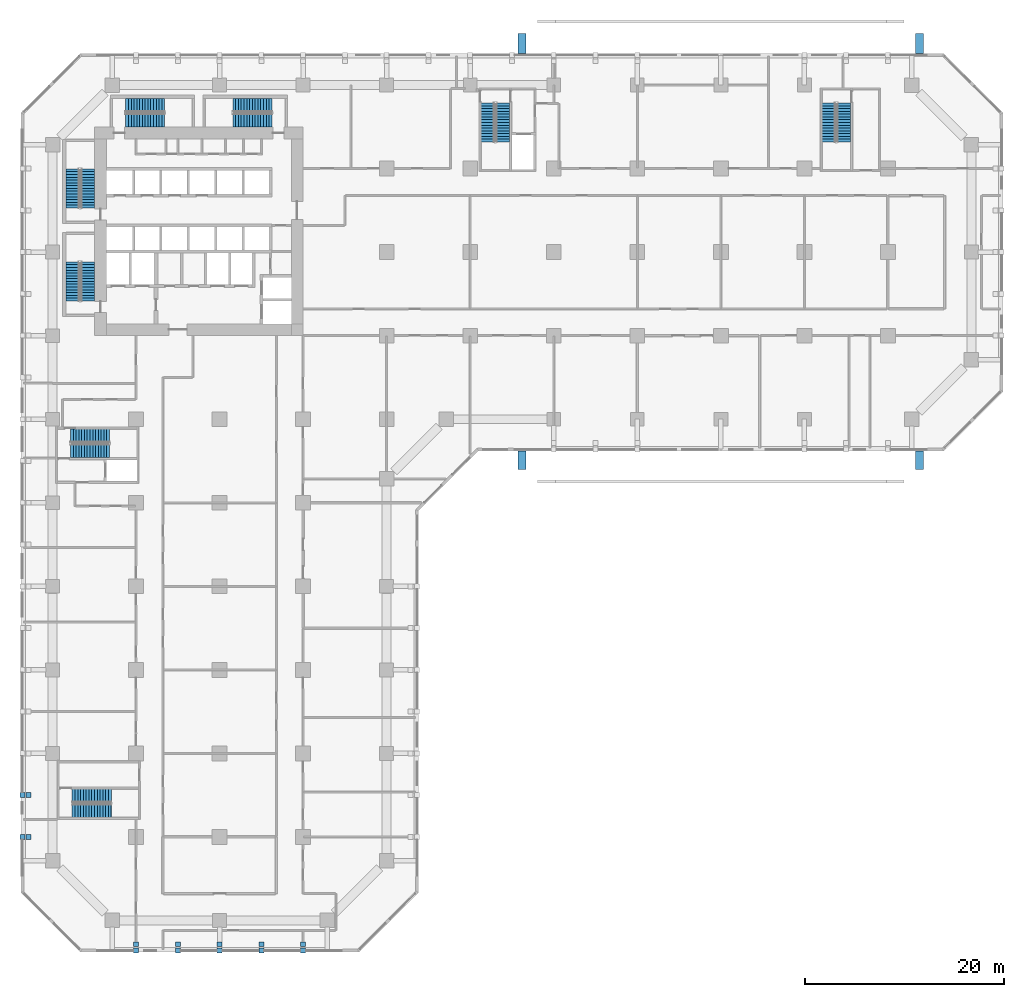
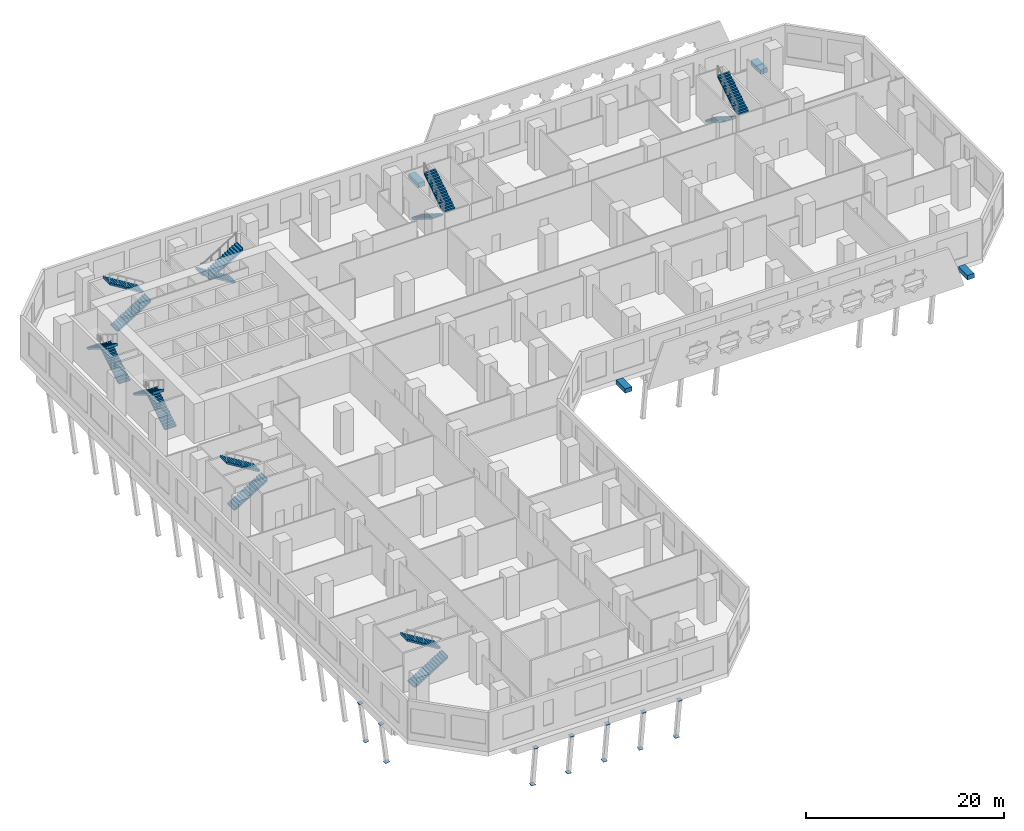
# One storey, part 13 of 21: 18 discrete accessories, 16 stair flights, 8 elements without a shape of their own.
"""IFC4 building model written with IfcOpenShell, lengths in metres."""

from ifc_helpers import new_model, si_unit, direction, frame, origin, origin_2d, place, context, subcontext, project, spatial, polyline, rectangle, outline, extrude, material, material_profile, profile_set, type_object, element, aggregate, save


model = new_model("IFC4")

# Units and contexts
model_context = context("Model", 3, precision=1e-05, world=origin(), true_north=direction((0.0, 1.0)))
body_context = subcontext(model_context, "Body", "Model", "MODEL_VIEW")
ifc_project = project(units=[si_unit("LENGTHUNIT", "METRE"), si_unit("AREAUNIT", "SQUARE_METRE"), si_unit("VOLUMEUNIT", "CUBIC_METRE"), si_unit("PLANEANGLEUNIT", "RADIAN"), si_unit("MASSUNIT", "GRAM", prefix="KILO")], contexts=[model_context])

# Site, building, storey
site_placement = place(None, origin())
site = spatial("IfcSite", under=ifc_project, at=site_placement, CompositionType="ELEMENT")
building_placement = place(site_placement, origin())
building = spatial("IfcBuilding", under=site, at=building_placement, Name="Kawkab Arch Medical Tower", CompositionType="ELEMENT")
storey_placement = place(building_placement, frame((0.0, 0.0, 23.800048828125)))
storey = spatial("IfcBuildingStorey", under=building, at=storey_placement, Name="L05", CompositionType="ELEMENT", Elevation=23.800048828125)

# Stair, stair flights
ifc_material_1 = material(Name="Concrete C40/50", Category="concrete")
stair_type = type_object("IfcStairType", Name="Exit stair 1350", PredefinedType="HALF_TURN_STAIR", material=ifc_material_1)
placement = place(storey_placement, origin())
stair_1 = element("IfcStair", 1, at=placement, inside=storey, type_object=stair_type, Name="L05 Exit stair ST1", PredefinedType="HALF_TURN_STAIR")
ifc_material_2 = material(Name="Concrete C40/50", Category="concrete")
stair_flight_type = type_object("IfcStairFlightType", Name="Exit stair flight 1350", PredefinedType="STRAIGHT", material=ifc_material_2)
stair_flight_1_placement = place(storey_placement, frame((3.52490234375, -12.35009765625, 0.0), z_axis=(0.0, 0.0, 1.0), x_axis=(0.0, 1.0, 0.0)))
stair_flight_1 = element("IfcStairFlight", 2, at=stair_flight_1_placement, type_object=stair_flight_type, Name="ST1 flight 1", NumberOfRisers=15, NumberOfTreads=14, PredefinedType="STRAIGHT", RiserHeight=0.173333333, TreadLength=0.28, context=body_context, shape_type="SweptSolid", body=[
    extrude(outline(polyline([(-0.0029296875, 0.0), (-0.0029296875, 0.17333984375), (0.0, 0.17333984375), (0.280029296875, 0.17333984375), (0.280029296875, 0.3466796875), (0.56005859375, 0.3466796875), (0.56005859375, 0.52001953125), (0.840087890625, 0.52001953125), (0.840087890625, 0.693359375), (1.1201171875, 0.693359375), (1.1201171875, 0.86669921875), (1.39990234375, 0.86669921875), (1.39990234375, 1.0400390625), (1.679931640625, 1.0400390625), (1.679931640625, 1.21337890625), (1.9599609375, 1.21337890625), (1.9599609375, 1.38671875), (2.239990234375, 1.38671875), (2.239990234375, 1.56005859375), (2.52001953125, 1.56005859375), (2.52001953125, 1.7333984375), (2.800048828125, 1.7333984375), (2.800048828125, 1.90673828125), (3.080078125, 1.90673828125), (3.080078125, 2.080078125), (3.360107421875, 2.080078125), (3.360107421875, 2.25341796875), (3.639892578125, 2.25341796875), (3.639892578125, 2.4267578125), (3.919921875, 2.4267578125), (3.919921875, 2.60009765625), (3.923095703125, 2.60009765625), (3.923095703125, 2.250244140625), (3.919921875, 2.250244140625), (0.284912109375, 0.0), (-0.0029296875, 0.0)])), frame((0.0, 0.675048828125, 0.0), z_axis=(0.0, -1.0, 0.0), x_axis=(1.0, 0.0, 0.0)), (0.0, 0.0, 1.0), 1.35009765625),
])
stair_flight_2_placement = place(storey_placement, frame((2.02490234375, -8.429931640625, 2.599853515625), z_axis=(0.0, 0.0, 1.0), x_axis=(0.0, -1.0, 0.0)))
stair_flight_2 = element("IfcStairFlight", 3, at=stair_flight_2_placement, type_object=stair_flight_type, Name="ST1 flight 2", NumberOfRisers=15, NumberOfTreads=14, PredefinedType="STRAIGHT", RiserHeight=0.173333333, TreadLength=0.28, context=body_context, shape_type="SweptSolid", body=[
    extrude(outline(polyline([(-0.0029296875, 0.0), (-0.0029296875, 0.17333984375), (0.0, 0.17333984375), (0.280029296875, 0.17333984375), (0.280029296875, 0.3466796875), (0.56005859375, 0.3466796875), (0.56005859375, 0.52001953125), (0.840087890625, 0.52001953125), (0.840087890625, 0.693359375), (1.1201171875, 0.693359375), (1.1201171875, 0.86669921875), (1.39990234375, 0.86669921875), (1.39990234375, 1.0400390625), (1.679931640625, 1.0400390625), (1.679931640625, 1.21337890625), (1.9599609375, 1.21337890625), (1.9599609375, 1.38671875), (2.239990234375, 1.38671875), (2.239990234375, 1.56005859375), (2.52001953125, 1.56005859375), (2.52001953125, 1.7333984375), (2.800048828125, 1.7333984375), (2.800048828125, 1.90673828125), (3.080078125, 1.90673828125), (3.080078125, 2.080078125), (3.360107421875, 2.080078125), (3.360107421875, 2.25341796875), (3.639892578125, 2.25341796875), (3.639892578125, 2.4267578125), (3.919921875, 2.4267578125), (3.919921875, 2.60009765625), (3.923095703125, 2.60009765625), (3.923095703125, 2.250244140625), (3.919921875, 2.250244140625), (0.284912109375, 0.0), (-0.0029296875, 0.0)])), frame((0.0, 0.675048828125, 0.0), z_axis=(0.0, -1.0, 0.0), x_axis=(1.0, 0.0, 0.0)), (0.0, 0.0, 1.0), 1.35009765625),
])
aggregate(stair_1, [stair_flight_1, stair_flight_2])

stair_2 = element("IfcStair", 4, at=placement, inside=storey, type_object=stair_type, Name="L05 Exit stair ST10", PredefinedType="HALF_TURN_STAIR")
stair_flight_3_placement = place(storey_placement, frame((1.97509765625, -72.97509765625, 0.0), z_axis=(0.0, 0.0, 1.0), x_axis=(1.0, 0.0, 0.0)))
stair_flight_3 = element("IfcStairFlight", 5, at=stair_flight_3_placement, type_object=stair_flight_type, Name="ST10 flight 1", NumberOfRisers=15, NumberOfTreads=14, PredefinedType="STRAIGHT", RiserHeight=0.173333333, TreadLength=0.28, context=body_context, shape_type="SweptSolid", body=[
    extrude(outline(polyline([(-0.0029296875, 0.0), (-0.0029296875, 0.17333984375), (0.0, 0.17333984375), (0.280029296875, 0.17333984375), (0.280029296875, 0.3466796875), (0.56005859375, 0.3466796875), (0.56005859375, 0.52001953125), (0.840087890625, 0.52001953125), (0.840087890625, 0.693359375), (1.1201171875, 0.693359375), (1.1201171875, 0.86669921875), (1.39990234375, 0.86669921875), (1.39990234375, 1.0400390625), (1.679931640625, 1.0400390625), (1.679931640625, 1.21337890625), (1.9599609375, 1.21337890625), (1.9599609375, 1.38671875), (2.239990234375, 1.38671875), (2.239990234375, 1.56005859375), (2.52001953125, 1.56005859375), (2.52001953125, 1.7333984375), (2.800048828125, 1.7333984375), (2.800048828125, 1.90673828125), (3.080078125, 1.90673828125), (3.080078125, 2.080078125), (3.360107421875, 2.080078125), (3.360107421875, 2.25341796875), (3.639892578125, 2.25341796875), (3.639892578125, 2.4267578125), (3.919921875, 2.4267578125), (3.919921875, 2.60009765625), (3.923095703125, 2.60009765625), (3.923095703125, 2.250244140625), (3.919921875, 2.250244140625), (0.284912109375, 0.0), (-0.0029296875, 0.0)])), frame((0.0, 0.675048828125, 0.0), z_axis=(0.0, -1.0, 0.0), x_axis=(1.0, 0.0, 0.0)), (0.0, 0.0, 1.0), 1.35009765625),
])
stair_flight_4_placement = place(storey_placement, frame((5.89501953125, -71.47509765625, 2.599853515625), z_axis=(0.0, 0.0, 1.0), x_axis=(-1.0, 0.0, 0.0)))
stair_flight_4 = element("IfcStairFlight", 6, at=stair_flight_4_placement, type_object=stair_flight_type, Name="ST10 flight 2", NumberOfRisers=15, NumberOfTreads=14, PredefinedType="STRAIGHT", RiserHeight=0.173333333, TreadLength=0.28, context=body_context, shape_type="SweptSolid", body=[
    extrude(outline(polyline([(-0.0029296875, 0.0), (-0.0029296875, 0.17333984375), (0.0, 0.17333984375), (0.280029296875, 0.17333984375), (0.280029296875, 0.3466796875), (0.56005859375, 0.3466796875), (0.56005859375, 0.52001953125), (0.840087890625, 0.52001953125), (0.840087890625, 0.693359375), (1.1201171875, 0.693359375), (1.1201171875, 0.86669921875), (1.39990234375, 0.86669921875), (1.39990234375, 1.0400390625), (1.679931640625, 1.0400390625), (1.679931640625, 1.21337890625), (1.9599609375, 1.21337890625), (1.9599609375, 1.38671875), (2.239990234375, 1.38671875), (2.239990234375, 1.56005859375), (2.52001953125, 1.56005859375), (2.52001953125, 1.7333984375), (2.800048828125, 1.7333984375), (2.800048828125, 1.90673828125), (3.080078125, 1.90673828125), (3.080078125, 2.080078125), (3.360107421875, 2.080078125), (3.360107421875, 2.25341796875), (3.639892578125, 2.25341796875), (3.639892578125, 2.4267578125), (3.919921875, 2.4267578125), (3.919921875, 2.60009765625), (3.923095703125, 2.60009765625), (3.923095703125, 2.250244140625), (3.919921875, 2.250244140625), (0.284912109375, 0.0), (-0.0029296875, 0.0)])), frame((0.0, 0.675048828125, 0.0), z_axis=(0.0, -1.0, 0.0), x_axis=(1.0, 0.0, 0.0)), (0.0, 0.0, 1.0), 1.35009765625),
])
aggregate(stair_2, [stair_flight_3, stair_flight_4])

stair_3 = element("IfcStair", 7, at=placement, inside=storey, type_object=stair_type, Name="L05 Exit stair ST2", PredefinedType="HALF_TURN_STAIR")
stair_flight_5_placement = place(storey_placement, frame((3.52490234375, -21.699951171875, 0.0), z_axis=(0.0, 0.0, 1.0), x_axis=(0.0, 1.0, 0.0)))
stair_flight_5 = element("IfcStairFlight", 8, at=stair_flight_5_placement, type_object=stair_flight_type, Name="ST2 flight 1", NumberOfRisers=15, NumberOfTreads=14, PredefinedType="STRAIGHT", RiserHeight=0.173333333, TreadLength=0.28, context=body_context, shape_type="SweptSolid", body=[
    extrude(outline(polyline([(-0.0029296875, 0.0), (-0.0029296875, 0.17333984375), (0.0, 0.17333984375), (0.280029296875, 0.17333984375), (0.280029296875, 0.3466796875), (0.56005859375, 0.3466796875), (0.56005859375, 0.52001953125), (0.840087890625, 0.52001953125), (0.840087890625, 0.693359375), (1.1201171875, 0.693359375), (1.1201171875, 0.86669921875), (1.39990234375, 0.86669921875), (1.39990234375, 1.0400390625), (1.679931640625, 1.0400390625), (1.679931640625, 1.21337890625), (1.9599609375, 1.21337890625), (1.9599609375, 1.38671875), (2.239990234375, 1.38671875), (2.239990234375, 1.56005859375), (2.52001953125, 1.56005859375), (2.52001953125, 1.7333984375), (2.800048828125, 1.7333984375), (2.800048828125, 1.90673828125), (3.080078125, 1.90673828125), (3.080078125, 2.080078125), (3.360107421875, 2.080078125), (3.360107421875, 2.25341796875), (3.639892578125, 2.25341796875), (3.639892578125, 2.4267578125), (3.919921875, 2.4267578125), (3.919921875, 2.60009765625), (3.923095703125, 2.60009765625), (3.923095703125, 2.250244140625), (3.919921875, 2.250244140625), (0.284912109375, 0.0), (-0.0029296875, 0.0)])), frame((0.0, 0.675048828125, 0.0), z_axis=(0.0, -1.0, 0.0), x_axis=(1.0, 0.0, 0.0)), (0.0, 0.0, 1.0), 1.35009765625),
])
stair_flight_6_placement = place(storey_placement, frame((2.02490234375, -17.780029296875, 2.599853515625), z_axis=(0.0, 0.0, 1.0), x_axis=(0.0, -1.0, 0.0)))
stair_flight_6 = element("IfcStairFlight", 9, at=stair_flight_6_placement, type_object=stair_flight_type, Name="ST2 flight 2", NumberOfRisers=15, NumberOfTreads=14, PredefinedType="STRAIGHT", RiserHeight=0.173333333, TreadLength=0.28, context=body_context, shape_type="SweptSolid", body=[
    extrude(outline(polyline([(-0.0029296875, 0.0), (-0.0029296875, 0.17333984375), (0.0, 0.17333984375), (0.280029296875, 0.17333984375), (0.280029296875, 0.3466796875), (0.56005859375, 0.3466796875), (0.56005859375, 0.52001953125), (0.840087890625, 0.52001953125), (0.840087890625, 0.693359375), (1.1201171875, 0.693359375), (1.1201171875, 0.86669921875), (1.39990234375, 0.86669921875), (1.39990234375, 1.0400390625), (1.679931640625, 1.0400390625), (1.679931640625, 1.21337890625), (1.9599609375, 1.21337890625), (1.9599609375, 1.38671875), (2.239990234375, 1.38671875), (2.239990234375, 1.56005859375), (2.52001953125, 1.56005859375), (2.52001953125, 1.7333984375), (2.800048828125, 1.7333984375), (2.800048828125, 1.90673828125), (3.080078125, 1.90673828125), (3.080078125, 2.080078125), (3.360107421875, 2.080078125), (3.360107421875, 2.25341796875), (3.639892578125, 2.25341796875), (3.639892578125, 2.4267578125), (3.919921875, 2.4267578125), (3.919921875, 2.60009765625), (3.923095703125, 2.60009765625), (3.923095703125, 2.250244140625), (3.919921875, 2.250244140625), (0.284912109375, 0.0), (-0.0029296875, 0.0)])), frame((0.0, 0.675048828125, 0.0), z_axis=(0.0, -1.0, 0.0), x_axis=(1.0, 0.0, 0.0)), (0.0, 0.0, 1.0), 1.35009765625),
])
aggregate(stair_3, [stair_flight_5, stair_flight_6])

stair_4 = element("IfcStair", 10, at=placement, inside=storey, type_object=stair_type, Name="L05 Exit stair ST3", PredefinedType="HALF_TURN_STAIR")
stair_flight_7_placement = place(storey_placement, frame((7.35009765625, -3.52490234375, 0.0), z_axis=(0.0, 0.0, 1.0), x_axis=(1.0, 0.0, 0.0)))
stair_flight_7 = element("IfcStairFlight", 11, at=stair_flight_7_placement, type_object=stair_flight_type, Name="ST3 flight 1", NumberOfRisers=15, NumberOfTreads=14, PredefinedType="STRAIGHT", RiserHeight=0.173333333, TreadLength=0.28, context=body_context, shape_type="SweptSolid", body=[
    extrude(outline(polyline([(-0.0029296875, 0.0), (-0.0029296875, 0.17333984375), (0.0, 0.17333984375), (0.280029296875, 0.17333984375), (0.280029296875, 0.3466796875), (0.56005859375, 0.3466796875), (0.56005859375, 0.52001953125), (0.840087890625, 0.52001953125), (0.840087890625, 0.693359375), (1.1201171875, 0.693359375), (1.1201171875, 0.86669921875), (1.39990234375, 0.86669921875), (1.39990234375, 1.0400390625), (1.679931640625, 1.0400390625), (1.679931640625, 1.21337890625), (1.9599609375, 1.21337890625), (1.9599609375, 1.38671875), (2.239990234375, 1.38671875), (2.239990234375, 1.56005859375), (2.52001953125, 1.56005859375), (2.52001953125, 1.7333984375), (2.800048828125, 1.7333984375), (2.800048828125, 1.90673828125), (3.080078125, 1.90673828125), (3.080078125, 2.080078125), (3.360107421875, 2.080078125), (3.360107421875, 2.25341796875), (3.639892578125, 2.25341796875), (3.639892578125, 2.4267578125), (3.919921875, 2.4267578125), (3.919921875, 2.60009765625), (3.923095703125, 2.60009765625), (3.923095703125, 2.250244140625), (3.919921875, 2.250244140625), (0.284912109375, 0.0), (-0.0029296875, 0.0)])), frame((0.0, 0.675048828125, 0.0), z_axis=(0.0, -1.0, 0.0), x_axis=(1.0, 0.0, 0.0)), (0.0, 0.0, 1.0), 1.35009765625),
])
stair_flight_8_placement = place(storey_placement, frame((11.27001953125, -2.02490234375, 2.599853515625), z_axis=(0.0, 0.0, 1.0), x_axis=(-1.0, 0.0, 0.0)))
stair_flight_8 = element("IfcStairFlight", 12, at=stair_flight_8_placement, type_object=stair_flight_type, Name="ST3 flight 2", NumberOfRisers=15, NumberOfTreads=14, PredefinedType="STRAIGHT", RiserHeight=0.173333333, TreadLength=0.28, context=body_context, shape_type="SweptSolid", body=[
    extrude(outline(polyline([(-0.0029296875, 0.0), (-0.0029296875, 0.17333984375), (0.0, 0.17333984375), (0.280029296875, 0.17333984375), (0.280029296875, 0.3466796875), (0.56005859375, 0.3466796875), (0.56005859375, 0.52001953125), (0.840087890625, 0.52001953125), (0.840087890625, 0.693359375), (1.1201171875, 0.693359375), (1.1201171875, 0.86669921875), (1.39990234375, 0.86669921875), (1.39990234375, 1.0400390625), (1.679931640625, 1.0400390625), (1.679931640625, 1.21337890625), (1.9599609375, 1.21337890625), (1.9599609375, 1.38671875), (2.239990234375, 1.38671875), (2.239990234375, 1.56005859375), (2.52001953125, 1.56005859375), (2.52001953125, 1.7333984375), (2.800048828125, 1.7333984375), (2.800048828125, 1.90673828125), (3.080078125, 1.90673828125), (3.080078125, 2.080078125), (3.360107421875, 2.080078125), (3.360107421875, 2.25341796875), (3.639892578125, 2.25341796875), (3.639892578125, 2.4267578125), (3.919921875, 2.4267578125), (3.919921875, 2.60009765625), (3.923095703125, 2.60009765625), (3.923095703125, 2.250244140625), (3.919921875, 2.250244140625), (0.284912109375, 0.0), (-0.0029296875, 0.0)])), frame((0.0, 0.675048828125, 0.0), z_axis=(0.0, -1.0, 0.0), x_axis=(1.0, 0.0, 0.0)), (0.0, 0.0, 1.0), 1.35009765625),
])
aggregate(stair_4, [stair_flight_7, stair_flight_8])

stair_5 = element("IfcStair", 13, at=placement, inside=storey, type_object=stair_type, Name="L05 Exit stair ST4", PredefinedType="HALF_TURN_STAIR")
stair_flight_9_placement = place(storey_placement, frame((22.050048828125, -2.02490234375, 0.0), z_axis=(0.0, 0.0, 1.0), x_axis=(-1.0, 0.0, 0.0)))
stair_flight_9 = element("IfcStairFlight", 14, at=stair_flight_9_placement, type_object=stair_flight_type, Name="ST4 flight 1", NumberOfRisers=15, NumberOfTreads=14, PredefinedType="STRAIGHT", RiserHeight=0.173333333, TreadLength=0.28, context=body_context, shape_type="SweptSolid", body=[
    extrude(outline(polyline([(-0.0029296875, 0.0), (-0.0029296875, 0.17333984375), (0.0, 0.17333984375), (0.280029296875, 0.17333984375), (0.280029296875, 0.3466796875), (0.56005859375, 0.3466796875), (0.56005859375, 0.52001953125), (0.840087890625, 0.52001953125), (0.840087890625, 0.693359375), (1.1201171875, 0.693359375), (1.1201171875, 0.86669921875), (1.39990234375, 0.86669921875), (1.39990234375, 1.0400390625), (1.679931640625, 1.0400390625), (1.679931640625, 1.21337890625), (1.9599609375, 1.21337890625), (1.9599609375, 1.38671875), (2.239990234375, 1.38671875), (2.239990234375, 1.56005859375), (2.52001953125, 1.56005859375), (2.52001953125, 1.7333984375), (2.800048828125, 1.7333984375), (2.800048828125, 1.90673828125), (3.080078125, 1.90673828125), (3.080078125, 2.080078125), (3.360107421875, 2.080078125), (3.360107421875, 2.25341796875), (3.639892578125, 2.25341796875), (3.639892578125, 2.4267578125), (3.919921875, 2.4267578125), (3.919921875, 2.60009765625), (3.923095703125, 2.60009765625), (3.923095703125, 2.250244140625), (3.919921875, 2.250244140625), (0.284912109375, 0.0), (-0.0029296875, 0.0)])), frame((0.0, 0.675048828125, 0.0), z_axis=(0.0, -1.0, 0.0), x_axis=(1.0, 0.0, 0.0)), (0.0, 0.0, 1.0), 1.35009765625),
])
stair_flight_10_placement = place(storey_placement, frame((18.1298828125, -3.52490234375, 2.599853515625), z_axis=(0.0, 0.0, 1.0), x_axis=(1.0, 0.0, 0.0)))
stair_flight_10 = element("IfcStairFlight", 15, at=stair_flight_10_placement, type_object=stair_flight_type, Name="ST4 flight 2", NumberOfRisers=15, NumberOfTreads=14, PredefinedType="STRAIGHT", RiserHeight=0.173333333, TreadLength=0.28, context=body_context, shape_type="SweptSolid", body=[
    extrude(outline(polyline([(-0.0029296875, 0.0), (-0.0029296875, 0.17333984375), (0.0, 0.17333984375), (0.280029296875, 0.17333984375), (0.280029296875, 0.3466796875), (0.56005859375, 0.3466796875), (0.56005859375, 0.52001953125), (0.840087890625, 0.52001953125), (0.840087890625, 0.693359375), (1.1201171875, 0.693359375), (1.1201171875, 0.86669921875), (1.39990234375, 0.86669921875), (1.39990234375, 1.0400390625), (1.679931640625, 1.0400390625), (1.679931640625, 1.21337890625), (1.9599609375, 1.21337890625), (1.9599609375, 1.38671875), (2.239990234375, 1.38671875), (2.239990234375, 1.56005859375), (2.52001953125, 1.56005859375), (2.52001953125, 1.7333984375), (2.800048828125, 1.7333984375), (2.800048828125, 1.90673828125), (3.080078125, 1.90673828125), (3.080078125, 2.080078125), (3.360107421875, 2.080078125), (3.360107421875, 2.25341796875), (3.639892578125, 2.25341796875), (3.639892578125, 2.4267578125), (3.919921875, 2.4267578125), (3.919921875, 2.60009765625), (3.923095703125, 2.60009765625), (3.923095703125, 2.250244140625), (3.919921875, 2.250244140625), (0.284912109375, 0.0), (-0.0029296875, 0.0)])), frame((0.0, 0.675048828125, 0.0), z_axis=(0.0, -1.0, 0.0), x_axis=(1.0, 0.0, 0.0)), (0.0, 0.0, 1.0), 1.35009765625),
])
aggregate(stair_5, [stair_flight_9, stair_flight_10])

stair_6 = element("IfcStair", 16, at=placement, inside=storey, type_object=stair_type, Name="L05 Exit stair ST5", PredefinedType="HALF_TURN_STAIR")
stair_flight_11_placement = place(storey_placement, frame((43.77490234375, -1.800048828125, 0.0), z_axis=(0.0, 0.0, 1.0), x_axis=(0.0, -1.0, 0.0)))
stair_flight_11 = element("IfcStairFlight", 17, at=stair_flight_11_placement, type_object=stair_flight_type, Name="ST5 flight 1", NumberOfRisers=15, NumberOfTreads=14, PredefinedType="STRAIGHT", RiserHeight=0.173333333, TreadLength=0.28, context=body_context, shape_type="SweptSolid", body=[
    extrude(outline(polyline([(-0.0029296875, 0.0), (-0.0029296875, 0.17333984375), (0.0, 0.17333984375), (0.280029296875, 0.17333984375), (0.280029296875, 0.3466796875), (0.56005859375, 0.3466796875), (0.56005859375, 0.52001953125), (0.840087890625, 0.52001953125), (0.840087890625, 0.693359375), (1.1201171875, 0.693359375), (1.1201171875, 0.86669921875), (1.39990234375, 0.86669921875), (1.39990234375, 1.0400390625), (1.679931640625, 1.0400390625), (1.679931640625, 1.21337890625), (1.9599609375, 1.21337890625), (1.9599609375, 1.38671875), (2.239990234375, 1.38671875), (2.239990234375, 1.56005859375), (2.52001953125, 1.56005859375), (2.52001953125, 1.7333984375), (2.800048828125, 1.7333984375), (2.800048828125, 1.90673828125), (3.080078125, 1.90673828125), (3.080078125, 2.080078125), (3.360107421875, 2.080078125), (3.360107421875, 2.25341796875), (3.639892578125, 2.25341796875), (3.639892578125, 2.4267578125), (3.919921875, 2.4267578125), (3.919921875, 2.60009765625), (3.923095703125, 2.60009765625), (3.923095703125, 2.250244140625), (3.919921875, 2.250244140625), (0.284912109375, 0.0), (-0.0029296875, 0.0)])), frame((0.0, 0.675048828125, 0.0), z_axis=(0.0, -1.0, 0.0), x_axis=(1.0, 0.0, 0.0)), (0.0, 0.0, 1.0), 1.35009765625),
])
stair_flight_12_placement = place(storey_placement, frame((45.27490234375, -5.719970703125, 2.599853515625), z_axis=(0.0, 0.0, 1.0), x_axis=(0.0, 1.0, 0.0)))
stair_flight_12 = element("IfcStairFlight", 18, at=stair_flight_12_placement, type_object=stair_flight_type, Name="ST5 flight 2", NumberOfRisers=15, NumberOfTreads=14, PredefinedType="STRAIGHT", RiserHeight=0.173333333, TreadLength=0.28, context=body_context, shape_type="SweptSolid", body=[
    extrude(outline(polyline([(-0.0029296875, 0.0), (-0.0029296875, 0.17333984375), (0.0, 0.17333984375), (0.280029296875, 0.17333984375), (0.280029296875, 0.3466796875), (0.56005859375, 0.3466796875), (0.56005859375, 0.52001953125), (0.840087890625, 0.52001953125), (0.840087890625, 0.693359375), (1.1201171875, 0.693359375), (1.1201171875, 0.86669921875), (1.39990234375, 0.86669921875), (1.39990234375, 1.0400390625), (1.679931640625, 1.0400390625), (1.679931640625, 1.21337890625), (1.9599609375, 1.21337890625), (1.9599609375, 1.38671875), (2.239990234375, 1.38671875), (2.239990234375, 1.56005859375), (2.52001953125, 1.56005859375), (2.52001953125, 1.7333984375), (2.800048828125, 1.7333984375), (2.800048828125, 1.90673828125), (3.080078125, 1.90673828125), (3.080078125, 2.080078125), (3.360107421875, 2.080078125), (3.360107421875, 2.25341796875), (3.639892578125, 2.25341796875), (3.639892578125, 2.4267578125), (3.919921875, 2.4267578125), (3.919921875, 2.60009765625), (3.923095703125, 2.60009765625), (3.923095703125, 2.250244140625), (3.919921875, 2.250244140625), (0.284912109375, 0.0), (-0.0029296875, 0.0)])), frame((0.0, 0.675048828125, 0.0), z_axis=(0.0, -1.0, 0.0), x_axis=(1.0, 0.0, 0.0)), (0.0, 0.0, 1.0), 1.35009765625),
])
aggregate(stair_6, [stair_flight_11, stair_flight_12])

stair_7 = element("IfcStair", 19, at=placement, inside=storey, type_object=stair_type, Name="L05 Exit stair ST6", PredefinedType="HALF_TURN_STAIR")
stair_flight_13_placement = place(storey_placement, frame((1.800048828125, -36.77490234375, 0.0), z_axis=(0.0, 0.0, 1.0), x_axis=(1.0, 0.0, 0.0)))
stair_flight_13 = element("IfcStairFlight", 20, at=stair_flight_13_placement, type_object=stair_flight_type, Name="ST6 flight 1", NumberOfRisers=15, NumberOfTreads=14, PredefinedType="STRAIGHT", RiserHeight=0.173333333, TreadLength=0.28, context=body_context, shape_type="SweptSolid", body=[
    extrude(outline(polyline([(-0.0029296875, 0.0), (-0.0029296875, 0.17333984375), (0.0, 0.17333984375), (0.280029296875, 0.17333984375), (0.280029296875, 0.3466796875), (0.56005859375, 0.3466796875), (0.56005859375, 0.52001953125), (0.840087890625, 0.52001953125), (0.840087890625, 0.693359375), (1.1201171875, 0.693359375), (1.1201171875, 0.86669921875), (1.39990234375, 0.86669921875), (1.39990234375, 1.0400390625), (1.679931640625, 1.0400390625), (1.679931640625, 1.21337890625), (1.9599609375, 1.21337890625), (1.9599609375, 1.38671875), (2.239990234375, 1.38671875), (2.239990234375, 1.56005859375), (2.52001953125, 1.56005859375), (2.52001953125, 1.7333984375), (2.800048828125, 1.7333984375), (2.800048828125, 1.90673828125), (3.080078125, 1.90673828125), (3.080078125, 2.080078125), (3.360107421875, 2.080078125), (3.360107421875, 2.25341796875), (3.639892578125, 2.25341796875), (3.639892578125, 2.4267578125), (3.919921875, 2.4267578125), (3.919921875, 2.60009765625), (3.923095703125, 2.60009765625), (3.923095703125, 2.250244140625), (3.919921875, 2.250244140625), (0.284912109375, 0.0), (-0.0029296875, 0.0)])), frame((0.0, 0.675048828125, 0.0), z_axis=(0.0, -1.0, 0.0), x_axis=(1.0, 0.0, 0.0)), (0.0, 0.0, 1.0), 1.35009765625),
])
stair_flight_14_placement = place(storey_placement, frame((5.719970703125, -35.27490234375, 2.599853515625), z_axis=(0.0, 0.0, 1.0), x_axis=(-1.0, 0.0, 0.0)))
stair_flight_14 = element("IfcStairFlight", 21, at=stair_flight_14_placement, type_object=stair_flight_type, Name="ST6 flight 2", NumberOfRisers=15, NumberOfTreads=14, PredefinedType="STRAIGHT", RiserHeight=0.173333333, TreadLength=0.28, context=body_context, shape_type="SweptSolid", body=[
    extrude(outline(polyline([(-0.0029296875, 0.0), (-0.0029296875, 0.17333984375), (0.0, 0.17333984375), (0.280029296875, 0.17333984375), (0.280029296875, 0.3466796875), (0.56005859375, 0.3466796875), (0.56005859375, 0.52001953125), (0.840087890625, 0.52001953125), (0.840087890625, 0.693359375), (1.1201171875, 0.693359375), (1.1201171875, 0.86669921875), (1.39990234375, 0.86669921875), (1.39990234375, 1.0400390625), (1.679931640625, 1.0400390625), (1.679931640625, 1.21337890625), (1.9599609375, 1.21337890625), (1.9599609375, 1.38671875), (2.239990234375, 1.38671875), (2.239990234375, 1.56005859375), (2.52001953125, 1.56005859375), (2.52001953125, 1.7333984375), (2.800048828125, 1.7333984375), (2.800048828125, 1.90673828125), (3.080078125, 1.90673828125), (3.080078125, 2.080078125), (3.360107421875, 2.080078125), (3.360107421875, 2.25341796875), (3.639892578125, 2.25341796875), (3.639892578125, 2.4267578125), (3.919921875, 2.4267578125), (3.919921875, 2.60009765625), (3.923095703125, 2.60009765625), (3.923095703125, 2.250244140625), (3.919921875, 2.250244140625), (0.284912109375, 0.0), (-0.0029296875, 0.0)])), frame((0.0, 0.675048828125, 0.0), z_axis=(0.0, -1.0, 0.0), x_axis=(1.0, 0.0, 0.0)), (0.0, 0.0, 1.0), 1.35009765625),
])
aggregate(stair_7, [stair_flight_13, stair_flight_14])

stair_8 = element("IfcStair", 22, at=placement, inside=storey, type_object=stair_type, Name="L05 Exit stair ST7", PredefinedType="HALF_TURN_STAIR")
stair_flight_15_placement = place(storey_placement, frame((78.074951171875, -1.800048828125, 0.0), z_axis=(0.0, 0.0, 1.0), x_axis=(0.0, -1.0, 0.0)))
stair_flight_15 = element("IfcStairFlight", 23, at=stair_flight_15_placement, type_object=stair_flight_type, Name="ST7 flight 1", NumberOfRisers=15, NumberOfTreads=14, PredefinedType="STRAIGHT", RiserHeight=0.173333333, TreadLength=0.28, context=body_context, shape_type="SweptSolid", body=[
    extrude(outline(polyline([(-0.0029296875, 0.0), (-0.0029296875, 0.17333984375), (0.0, 0.17333984375), (0.280029296875, 0.17333984375), (0.280029296875, 0.3466796875), (0.56005859375, 0.3466796875), (0.56005859375, 0.52001953125), (0.840087890625, 0.52001953125), (0.840087890625, 0.693359375), (1.1201171875, 0.693359375), (1.1201171875, 0.86669921875), (1.39990234375, 0.86669921875), (1.39990234375, 1.0400390625), (1.679931640625, 1.0400390625), (1.679931640625, 1.21337890625), (1.9599609375, 1.21337890625), (1.9599609375, 1.38671875), (2.239990234375, 1.38671875), (2.239990234375, 1.56005859375), (2.52001953125, 1.56005859375), (2.52001953125, 1.7333984375), (2.800048828125, 1.7333984375), (2.800048828125, 1.90673828125), (3.080078125, 1.90673828125), (3.080078125, 2.080078125), (3.360107421875, 2.080078125), (3.360107421875, 2.25341796875), (3.639892578125, 2.25341796875), (3.639892578125, 2.4267578125), (3.919921875, 2.4267578125), (3.919921875, 2.60009765625), (3.923095703125, 2.60009765625), (3.923095703125, 2.250244140625), (3.919921875, 2.250244140625), (0.284912109375, 0.0), (-0.0029296875, 0.0)])), frame((0.0, 0.675048828125, 0.0), z_axis=(0.0, -1.0, 0.0), x_axis=(1.0, 0.0, 0.0)), (0.0, 0.0, 1.0), 1.35009765625),
])
stair_flight_16_placement = place(storey_placement, frame((79.574951171875, -5.719970703125, 2.599853515625), z_axis=(0.0, 0.0, 1.0), x_axis=(0.0, 1.0, 0.0)))
stair_flight_16 = element("IfcStairFlight", 24, at=stair_flight_16_placement, type_object=stair_flight_type, Name="ST7 flight 2", NumberOfRisers=15, NumberOfTreads=14, PredefinedType="STRAIGHT", RiserHeight=0.173333333, TreadLength=0.28, context=body_context, shape_type="SweptSolid", body=[
    extrude(outline(polyline([(-0.0029296875, 0.0), (-0.0029296875, 0.17333984375), (0.0, 0.17333984375), (0.280029296875, 0.17333984375), (0.280029296875, 0.3466796875), (0.56005859375, 0.3466796875), (0.56005859375, 0.52001953125), (0.840087890625, 0.52001953125), (0.840087890625, 0.693359375), (1.1201171875, 0.693359375), (1.1201171875, 0.86669921875), (1.39990234375, 0.86669921875), (1.39990234375, 1.0400390625), (1.679931640625, 1.0400390625), (1.679931640625, 1.21337890625), (1.9599609375, 1.21337890625), (1.9599609375, 1.38671875), (2.239990234375, 1.38671875), (2.239990234375, 1.56005859375), (2.52001953125, 1.56005859375), (2.52001953125, 1.7333984375), (2.800048828125, 1.7333984375), (2.800048828125, 1.90673828125), (3.080078125, 1.90673828125), (3.080078125, 2.080078125), (3.360107421875, 2.080078125), (3.360107421875, 2.25341796875), (3.639892578125, 2.25341796875), (3.639892578125, 2.4267578125), (3.919921875, 2.4267578125), (3.919921875, 2.60009765625), (3.923095703125, 2.60009765625), (3.923095703125, 2.250244140625), (3.919921875, 2.250244140625), (0.284912109375, 0.0), (-0.0029296875, 0.0)])), frame((0.0, 0.675048828125, 0.0), z_axis=(0.0, -1.0, 0.0), x_axis=(1.0, 0.0, 0.0)), (0.0, 0.0, 1.0), 1.35009765625),
])
aggregate(stair_8, [stair_flight_15, stair_flight_16])

# Discrete accessories
ifc_material_3 = material(Name="Galvanised steel tie bracket", Category="steel")
discrete_accessory_type_1 = type_object("IfcDiscreteAccessoryType", Name="Arch tie bracket", PredefinedType="BRACKET", material=ifc_material_3)
for number, where, z_axis, x_axis, name in (
    (25, (47.20263671875, -37.72509765625, -0.55029296875), (0.0, 0.0, 1.0), (1.0, 0.0, 0.0), "Arch tie SW L05"),
    (26, (87.197265625, -37.72509765625, -0.55029296875), (0.0, 0.0, 1.0), (1.0, 0.0, 0.0), "Arch tie SE L05"),
):
    element("IfcDiscreteAccessory", number, at=place(storey_placement, frame(where, z_axis=z_axis, x_axis=x_axis)), inside=storey, type_object=discrete_accessory_type_1, Name=name, PredefinedType="BRACKET", context=body_context, shape_type="SweptSolid", body=[
        extrude(rectangle(XDim=0.800048828125, YDim=1.85009765625, at=origin_2d()), origin(), (0.0, 0.0, 1.0), 0.550048828125),
    ])
for number, where, z_axis, x_axis, name in (
    (27, (47.20263671875, 4.199951171875, -0.55029296875), (0.0, 0.0, 1.0), (1.0, 0.0, 0.0), "Arch tie NW L05"),
    (28, (87.197265625, 4.199951171875, -0.55029296875), (0.0, 0.0, 1.0), (1.0, 0.0, 0.0), "Arch tie NE L05"),
):
    element("IfcDiscreteAccessory", number, at=place(storey_placement, frame(where, z_axis=z_axis, x_axis=x_axis)), inside=storey, type_object=discrete_accessory_type_1, Name=name, PredefinedType="BRACKET", context=body_context, shape_type="SweptSolid", body=[
        extrude(rectangle(XDim=0.800048828125, YDim=2.0, at=origin_2d()), origin(), (0.0, 0.0, 1.0), 0.550048828125),
    ])
ifc_material_4 = material(Name="Steel S355", Category="steel")
ifc_material_profile = material_profile(ifc_material_4, rectangle(XDim=0.5, YDim=0.5, at=origin_2d()), Name="End plate 500 x 20")
ifc_profile_set = profile_set([ifc_material_profile], Name="Steel S355")
discrete_accessory_type_2 = type_object("IfcDiscreteAccessoryType", Name="End plate 500 x 20", PredefinedType="ANCHORPLATE", material=ifc_profile_set)
for number, where, z_axis, x_axis, name in (
    (29, (-2.402587890625, -71.39990234375, -6.380126953125), (0.132955393257, 0.0, -0.991122022459), (0.0, 1.0, 0.0), "End plate PRS1"),
    (30, (-3.0283203125, -71.39990234375, -1.469970703125), (-0.132955393257, 0.0, 0.991122022459), (0.0, -1.0, 0.0), "End plate PRS1"),
    (31, (-2.402587890625, -75.60009765625, -6.380126953125), (0.132955393257, 0.0, -0.991122022459), (0.0, 1.0, 0.0), "End plate PRS1"),
    (32, (-3.0283203125, -75.60009765625, -1.469970703125), (-0.132955393257, 0.0, 0.991122022459), (0.0, -1.0, 0.0), "End plate PRS1"),
    (33, (8.39990234375, -86.402587890625, -6.380126953125), (0.0, 0.132955393257, -0.991122022459), (-1.0, 0.0, 0.0), "End plate PRS1"),
    (34, (8.39990234375, -87.0283203125, -1.469970703125), (0.0, -0.132955393257, 0.991122022459), (1.0, 0.0, 0.0), "End plate PRS1"),
    (35, (12.60009765625, -86.402587890625, -6.380126953125), (0.0, 0.132955393257, -0.991122022459), (-1.0, 0.0, 0.0), "End plate PRS1"),
    (36, (12.60009765625, -87.0283203125, -1.469970703125), (0.0, -0.132955393257, 0.991122022459), (1.0, 0.0, 0.0), "End plate PRS1"),
    (37, (16.800048828125, -86.402587890625, -6.380126953125), (0.0, 0.132955393257, -0.991122022459), (-1.0, 0.0, 0.0), "End plate PRS1"),
    (38, (16.800048828125, -87.0283203125, -1.469970703125), (0.0, -0.132955393257, 0.991122022459), (1.0, 0.0, 0.0), "End plate PRS1"),
    (39, (21.0, -86.402587890625, -6.380126953125), (0.0, 0.132955393257, -0.991122022459), (-1.0, 0.0, 0.0), "End plate PRS1"),
    (40, (21.0, -87.0283203125, -1.469970703125), (0.0, -0.132955393257, 0.991122022459), (1.0, 0.0, 0.0), "End plate PRS1"),
    (41, (25.199951171875, -86.402587890625, -6.380126953125), (0.0, 0.132955393257, -0.991122022459), (-1.0, 0.0, 0.0), "End plate PRS1"),
    (42, (25.199951171875, -87.0283203125, -1.469970703125), (0.0, -0.132955393257, 0.991122022459), (1.0, 0.0, 0.0), "End plate PRS1"),
):
    element("IfcDiscreteAccessory", number, at=place(storey_placement, frame(where, z_axis=z_axis, x_axis=x_axis)), inside=storey, type_object=discrete_accessory_type_2, Name=name, PredefinedType="ANCHORPLATE", context=body_context, shape_type="SweptSolid", body=[
        extrude(rectangle(XDim=0.5, YDim=0.5, at=origin_2d()), origin(), (0.0, 0.0, 1.0), 0.020263671875),
    ])

save(model, "model.ifc")
